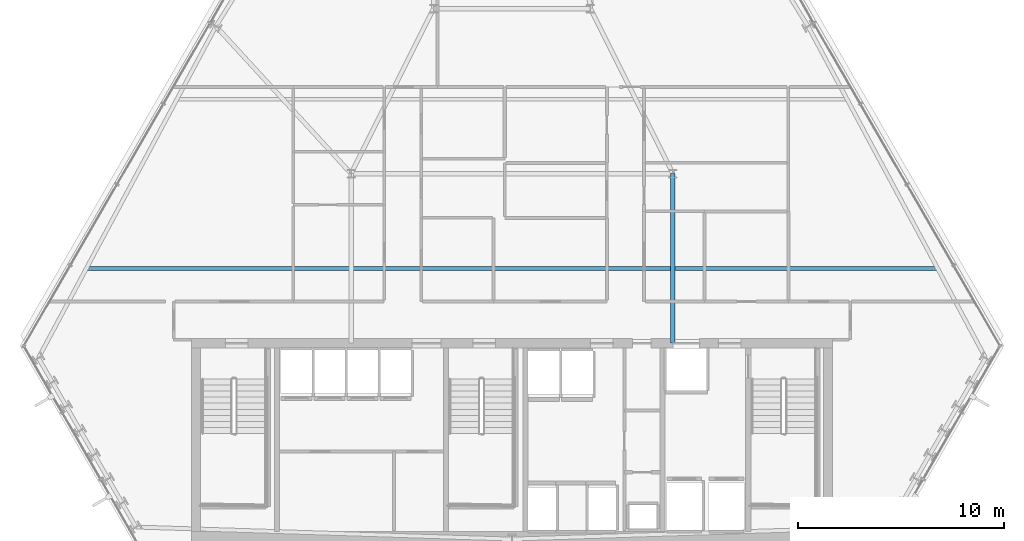
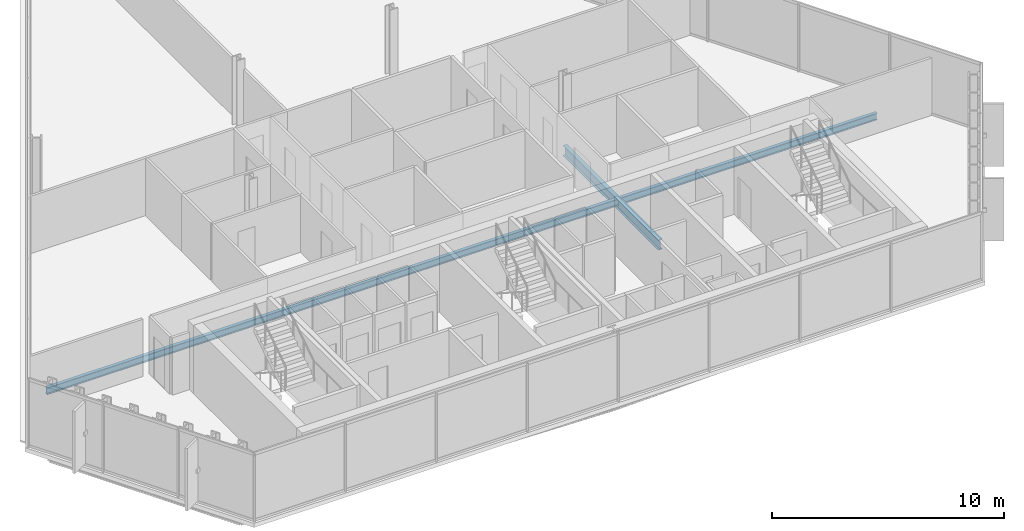
# One storey, part 10 of 33: 2 beams.
"""IFC4 building model written with IfcOpenShell, lengths in metres."""

from ifc_helpers import new_model, si_unit, direction, frame, origin, origin_2d, place, context, subcontext, project, spatial, i_section, extrude, material, material_profile, profile_set, type_object, element, save


model = new_model("IFC4")

# Units and contexts
model_context = context("Model", 3, precision=1e-05, world=origin(), true_north=direction((0.0, 1.0)))
body_context = subcontext(model_context, "Body", "Model", "MODEL_VIEW")
ifc_project = project(units=[si_unit("LENGTHUNIT", "METRE"), si_unit("AREAUNIT", "SQUARE_METRE"), si_unit("VOLUMEUNIT", "CUBIC_METRE"), si_unit("PLANEANGLEUNIT", "RADIAN"), si_unit("MASSUNIT", "GRAM", prefix="KILO")], contexts=[model_context])

# Site, building, storey
site_placement = place(None, origin())
site = spatial("IfcSite", under=ifc_project, at=site_placement, CompositionType="ELEMENT")
building_placement = place(site_placement, origin())
building = spatial("IfcBuilding", under=site, at=building_placement, Name="Ndaravel Arena Tower", CompositionType="ELEMENT")
storey_placement = place(building_placement, frame((0.0, 0.0, 149.800048828125)))
storey = spatial("IfcBuildingStorey", under=building, at=storey_placement, Name="L35", CompositionType="ELEMENT", Elevation=149.800048828125)

# Beams
ifc_material_1 = material(Name="Steel S355", Category="steel")
ifc_material_profile_1 = material_profile(ifc_material_1, i_section(OverallWidth=0.210693359375, OverallDepth=0.53955078125, WebThickness=0.01171875, FlangeThickness=0.018798828125, FilletRadius=0.0126953125, at=origin_2d()), Name="UB 533x210x109")
ifc_profile_set_1 = profile_set([ifc_material_profile_1], Name="Steel S355")
beam_type_1 = type_object("IfcBeamType", Name="BM-GIRD-UB533", PredefinedType="BEAM", material=ifc_profile_set_1)
beam_1_placement = place(storey_placement, frame((49.800048828125, 14.97998046875, -0.48974609375), z_axis=(0.0, 1.0, 0.0), x_axis=(-1.0, 0.0, 0.0)))
element("IfcBeam", 1, at=beam_1_placement, inside=storey, type_object=beam_type_1, Name="L35 Spine Link Girder SLG-02", PredefinedType="BEAM", context=body_context, shape_type="SweptSolid", body=[
    extrude(i_section(OverallWidth=0.210693359375, OverallDepth=0.53955078125, WebThickness=0.01171875, FlangeThickness=0.018798828125, FilletRadius=0.0126953125, at=origin_2d()), origin(), (0.0, 0.0, 1.0), 8.219970703125),
])
ifc_material_2 = material(Name="Steel S355", Category="steel")
ifc_material_profile_2 = material_profile(ifc_material_2, i_section(OverallWidth=0.172119140625, OverallDepth=0.35791015625, WebThickness=0.008056640625, FlangeThickness=0.012939453125, FilletRadius=0.01025390625, at=origin_2d()), Name="UB 356x171x57")
ifc_profile_set_2 = profile_set([ifc_material_profile_2], Name="Steel S355")
beam_type_2 = type_object("IfcBeamType", Name="BM-JOIST-UB356", PredefinedType="JOIST", material=ifc_profile_set_2)
beam_2_placement = place(storey_placement, frame((21.36279296875, 18.60009765625, -0.399169921875), z_axis=(1.0, 0.0, 0.0), x_axis=(0.0, 1.0, 0.0)))
element("IfcBeam", 2, at=beam_2_placement, inside=storey, type_object=beam_type_2, Name="L35 Composite Floor Joist FJ-01", PredefinedType="JOIST", context=body_context, shape_type="SweptSolid", body=[
    extrude(i_section(OverallWidth=0.172119140625, OverallDepth=0.35791015625, WebThickness=0.008056640625, FlangeThickness=0.012939453125, FilletRadius=0.01025390625, at=origin_2d()), origin(), (0.0, 0.0, 1.0), 41.2744140625),
])

save(model, "model.ifc")
